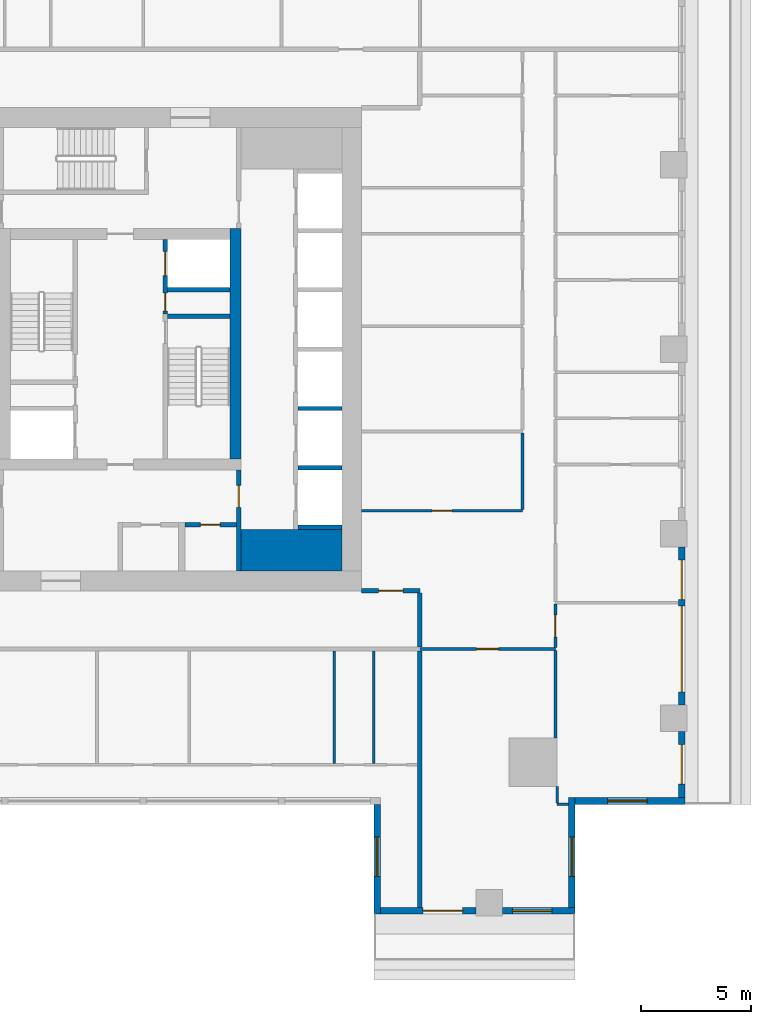
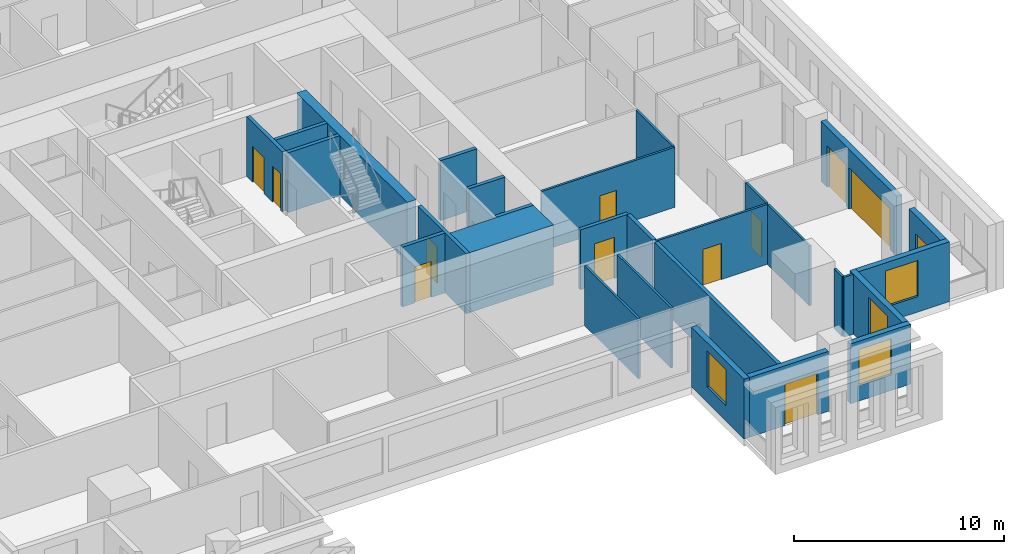
# One storey, part 4 of 14: 29 walls, 12 doors, 4 windows, 16 openings.
"""IFC4 building model written with IfcOpenShell, lengths in metres."""

from ifc_helpers import new_model, si_unit, direction, frame, frame_2d, origin, place, context, subcontext, project, spatial, rectangle, extrude, material, layer, layer_set, type_object, element, fill, save


model = new_model("IFC4")

# Units and contexts
model_context = context("Model", 3, precision=1e-05, world=origin(), true_north=direction((0.0, 1.0)))
body_context = subcontext(model_context, "Body", "Model", "MODEL_VIEW")
ifc_project = project(units=[si_unit("LENGTHUNIT", "METRE"), si_unit("AREAUNIT", "SQUARE_METRE"), si_unit("VOLUMEUNIT", "CUBIC_METRE"), si_unit("PLANEANGLEUNIT", "RADIAN"), si_unit("MASSUNIT", "GRAM", prefix="KILO")], contexts=[model_context])

# Site, building, storey
site_placement = place(None, origin())
site = spatial("IfcSite", under=ifc_project, at=site_placement, CompositionType="ELEMENT")
building_placement = place(site_placement, origin())
building = spatial("IfcBuilding", under=site, at=building_placement, Name="Khepri Terraces", CompositionType="ELEMENT")
storey_placement = place(building_placement, frame((0.0, 0.0, 275.699951171875)))
storey = spatial("IfcBuildingStorey", under=building, at=storey_placement, Name="L66", CompositionType="ELEMENT", Elevation=275.699951171875)

# Walls
ifc_material_1 = material(Name="Concrete C40/50", Category="concrete")
ifc_layer_1 = layer(ifc_material_1, 1.89990234375, Name="Concrete C40/50", Category="concrete")
ifc_layer_set_1 = layer_set([ifc_layer_1], Name="Concrete C40/50")
wall_type_1 = type_object("IfcWallType", Name="Core wall 1900 C40/50", PredefinedType="SHEAR", material=ifc_layer_set_1)
wall_1_placement = place(storey_placement, frame((5.5, -9.14990234375, 0.0), z_axis=(0.0, 0.0, 1.0), x_axis=(1.0, 0.0, 0.0)))
element("IfcWall", 1, at=wall_1_placement, inside=storey, type_object=wall_type_1, Name="Core wall PR02 L66", PredefinedType="SHEAR", context=body_context, shape_type="SweptSolid", body=[
    extrude(rectangle(XDim=4.60009765625, YDim=1.89990234375, at=frame_2d((2.300048828125, 0.0))), origin(), (0.0, 0.0, 1.0), 3.47998046875),
])
ifc_layer_2 = layer(ifc_material_1, 0.199951171875, Name="Concrete C40/50", Category="concrete")
ifc_layer_set_2 = layer_set([ifc_layer_2], Name="Concrete C40/50")
wall_type_2 = type_object("IfcWallType", Name="Core wall 200 C40/50", PredefinedType="SHEAR", material=ifc_layer_set_2)
wall_2_placement = place(storey_placement, frame((2.14990234375, 1.5, 0.0), z_axis=(0.0, 0.0, 1.0), x_axis=(1.0, 0.0, 0.0)))
element("IfcWall", 2, at=wall_2_placement, inside=storey, type_object=wall_type_2, Name="Core wall ST04 L66", PredefinedType="SHEAR", context=body_context, shape_type="SweptSolid", body=[
    extrude(rectangle(XDim=2.85009765625, YDim=0.199951171875, at=frame_2d((1.425048828125, 0.0))), origin(), (0.0, 0.0, 1.0), 3.47998046875),
])
for number, where, z_axis, x_axis, name in (
    (3, (8.10009765625, -8.10009765625, 0.0), (0.0, 0.0, 1.0), (1.0, 0.0, 0.0), "Core wall SH03 L66"),
    (4, (8.10009765625, -5.39990234375, 0.0), (0.0, 0.0, 1.0), (1.0, 0.0, 0.0), "Core wall SH04 L66"),
    (5, (8.10009765625, -2.699951171875, 0.0), (0.0, 0.0, 1.0), (1.0, 0.0, 0.0), "Core wall SH08 L66"),
):
    element("IfcWall", number, at=place(storey_placement, frame(where, z_axis=z_axis, x_axis=x_axis)), inside=storey, type_object=wall_type_2, Name=name, PredefinedType="SHEAR", context=body_context, shape_type="SweptSolid", body=[
        extrude(rectangle(XDim=2.0, YDim=0.199951171875, at=frame_2d((1.0, 0.0))), origin(), (0.0, 0.0, 1.0), 3.47998046875),
    ])

# Wall, openings, doors
wall_3_placement = place(storey_placement, frame((2.050048828125, 1.60009765625, 0.0), z_axis=(0.0, 0.0, 1.0), x_axis=(0.0, 1.0, 0.0)))
wall_3 = element("IfcWall", 6, at=wall_3_placement, inside=storey, type_object=wall_type_2, Name="Core wall SH10 L66", PredefinedType="SHEAR", context=body_context, shape_type="SweptSolid", body=[
    extrude(rectangle(XDim=3.39990234375, YDim=0.199951171875, at=frame_2d((1.699951171875, 0.0))), origin(), (0.0, 0.0, 1.0), 3.47998046875),
])
opening_1_placement = place(wall_3_placement, frame((1.75, 0.0, 0.0)))
opening_1 = element("IfcOpeningElement", 7, at=opening_1_placement, cuts=wall_3, Name="Opening L66-C07", PredefinedType="OPENING", context=body_context, shape_type="SweptSolid", body=[
    extrude(rectangle(XDim=1.10009765625, YDim=2.10009765625, at=frame_2d((0.550048828125, 1.050048828125))), frame((0.0, 0.10986328125, 0.0), z_axis=(0.0, -1.0, 0.0), x_axis=(1.0, 0.0, 0.0)), (0.0, 0.0, 1.0), 0.219970703125),
])
opening_2_placement = place(wall_3_placement, frame((0.14990234375, 0.0, 0.0)))
opening_2 = element("IfcOpeningElement", 8, at=opening_2_placement, cuts=wall_3, Name="Opening L66-C11", PredefinedType="OPENING", context=body_context, shape_type="SweptSolid", body=[
    extrude(rectangle(XDim=0.800048828125, YDim=2.10009765625, at=frame_2d((0.39990234375, 1.050048828125))), frame((0.0, 0.10986328125, 0.0), z_axis=(0.0, -1.0, 0.0), x_axis=(1.0, 0.0, 0.0)), (0.0, 0.0, 1.0), 0.219970703125),
])
ifc_material_2 = material(Name="Stainless steel 304", Category="steel")
door_type_1 = type_object("IfcDoorType", Name="DR-CORE-FF-LANDING-1100", OperationType="NOTDEFINED", PredefinedType="DOOR", material=ifc_material_2)
door_1_placement = place(opening_1_placement, origin())
door_1 = element("IfcDoor", 9, at=door_1_placement, inside=storey, type_object=door_type_1, Name="Firefighting lift landing door L66-C07", OperationType="SLIDING_TO_LEFT", OverallHeight=2.10009765625, OverallWidth=1.10009765625, PredefinedType="DOOR", context=body_context, shape_type="SweptSolid", body=[
    extrude(rectangle(XDim=1.10009765625, YDim=2.10009765625, at=frame_2d((0.550048828125, 1.050048828125))), frame((0.0, 0.02490234375, 0.0), z_axis=(0.0, -1.0, 0.0), x_axis=(1.0, 0.0, 0.0)), (0.0, 0.0, 1.0), 0.050048828125),
])
fill(opening_1, door_1)
ifc_material_3 = material(Name="Painted steel", Category="steel")
door_type_2 = type_object("IfcDoorType", Name="DR-CORE-RISER-800", OperationType="NOTDEFINED", PredefinedType="DOOR", material=ifc_material_3)
door_2_placement = place(opening_2_placement, frame((0.800048828125, 0.0, 0.0), z_axis=(0.0, 0.0, 1.0), x_axis=(-1.0, 0.0, 0.0)))
door_2 = element("IfcDoor", 10, at=door_2_placement, inside=storey, type_object=door_type_2, Name="Riser door L66-C11", OperationType="SINGLE_SWING_RIGHT", OverallHeight=2.10009765625, OverallWidth=0.800048828125, PredefinedType="DOOR", context=body_context, shape_type="SweptSolid", body=[
    extrude(rectangle(XDim=0.800048828125, YDim=2.10009765625, at=frame_2d((0.39990234375, 1.050048828125))), frame((0.0, 0.02490234375, 0.0), z_axis=(0.0, -1.0, 0.0), x_axis=(1.0, 0.0, 0.0)), (0.0, 0.0, 1.0), 0.050048828125),
])
fill(opening_2, door_2)

# Walls
wall_4_placement = place(storey_placement, frame((2.14990234375, 2.699951171875, 0.0), z_axis=(0.0, 0.0, 1.0), x_axis=(1.0, 0.0, 0.0)))
element("IfcWall", 11, at=wall_4_placement, inside=storey, type_object=wall_type_2, Name="Core wall SH12 L66", PredefinedType="SHEAR", context=body_context, shape_type="SweptSolid", body=[
    extrude(rectangle(XDim=2.85009765625, YDim=0.199951171875, at=frame_2d((1.425048828125, 0.0))), origin(), (0.0, 0.0, 1.0), 3.47998046875),
])
ifc_layer_3 = layer(ifc_material_1, 0.5, Name="Concrete C40/50", Category="concrete")
ifc_layer_set_3 = layer_set([ifc_layer_3], Name="Concrete C40/50")
wall_type_3 = type_object("IfcWallType", Name="Core wall 500 C40/50", PredefinedType="SHEAR", material=ifc_layer_set_3)
wall_5_placement = place(storey_placement, frame((5.25, -5.0, 0.0), z_axis=(0.0, 0.0, 1.0), x_axis=(0.0, 1.0, 0.0)))
element("IfcWall", 12, at=wall_5_placement, inside=storey, type_object=wall_type_3, Name="Core wall BX03 L66", PredefinedType="SHEAR", context=body_context, shape_type="SweptSolid", body=[
    extrude(rectangle(XDim=10.5, YDim=0.5, at=frame_2d((5.25, 0.0))), origin(), (0.0, 0.0, 1.0), 3.47998046875),
])

# Wall, opening, door
ifc_material_4 = material(Name="Fire-rated gypsum board partition")
ifc_layer_4 = layer(ifc_material_4, 0.199951171875, Name="Fire-rated gypsum board partition")
ifc_layer_set_4 = layer_set([ifc_layer_4], Name="Fire-rated gypsum board partition")
wall_type_4 = type_object("IfcWallType", Name="WL-CORE-PART-200", PredefinedType="PARTITIONING", material=ifc_layer_set_4)
wall_6_placement = place(storey_placement, frame((5.39990234375, -10.10009765625, 0.0), z_axis=(0.0, 0.0, 1.0), x_axis=(0.0, 1.0, 0.0)))
wall_6 = element("IfcWall", 13, at=wall_6_placement, inside=storey, type_object=wall_type_4, Name="Core partition PT04 L66", PredefinedType="PARTITIONING", context=body_context, shape_type="SweptSolid", body=[
    extrude(rectangle(XDim=4.60009765625, YDim=0.199951171875, at=frame_2d((2.300048828125, 0.0))), origin(), (0.0, 0.0, 1.0), 3.47998046875),
])
opening_3_placement = place(wall_6_placement, frame((2.89990234375, 0.0, 0.0)))
opening_3 = element("IfcOpeningElement", 14, at=opening_3_placement, cuts=wall_6, Name="Opening L66-C19", PredefinedType="OPENING", context=body_context, shape_type="SweptSolid", body=[
    extrude(rectangle(XDim=1.0, YDim=2.10009765625, at=frame_2d((0.5, 1.050048828125))), frame((0.0, 0.10986328125, 0.0), z_axis=(0.0, -1.0, 0.0), x_axis=(1.0, 0.0, 0.0)), (0.0, 0.0, 1.0), 0.219970703125),
])
door_type_3 = type_object("IfcDoorType", Name="DR-CORE-LOBBY-1000", OperationType="NOTDEFINED", PredefinedType="DOOR", material=ifc_material_3)
door_3_placement = place(opening_3_placement, origin())
door_3 = element("IfcDoor", 15, at=door_3_placement, inside=storey, type_object=door_type_3, Name="Lobby door L66-C19", OperationType="SINGLE_SWING_RIGHT", OverallHeight=2.10009765625, OverallWidth=1.0, PredefinedType="DOOR", context=body_context, shape_type="SweptSolid", body=[
    extrude(rectangle(XDim=1.0, YDim=2.10009765625, at=frame_2d((0.5, 1.050048828125))), frame((0.0, 0.02490234375, 0.0), z_axis=(0.0, -1.0, 0.0), x_axis=(1.0, 0.0, 0.0)), (0.0, 0.0, 1.0), 0.050048828125),
])
fill(opening_3, door_3)

wall_7_placement = place(storey_placement, frame((2.949951171875, -8.0, 0.0), z_axis=(0.0, 0.0, 1.0), x_axis=(1.0, 0.0, 0.0)))
wall_7 = element("IfcWall", 16, at=wall_7_placement, inside=storey, type_object=wall_type_4, Name="Core partition PT07 L66", PredefinedType="PARTITIONING", context=body_context, shape_type="SweptSolid", body=[
    extrude(rectangle(XDim=2.35009765625, YDim=0.199951171875, at=frame_2d((1.175048828125, 0.0))), origin(), (0.0, 0.0, 1.0), 3.47998046875),
])
opening_4_placement = place(wall_7_placement, frame((0.699951171875, 0.0, 0.0)))
opening_4 = element("IfcOpeningElement", 17, at=opening_4_placement, cuts=wall_7, Name="Opening L66-C23", PredefinedType="OPENING", context=body_context, shape_type="SweptSolid", body=[
    extrude(rectangle(XDim=0.89990234375, YDim=2.10009765625, at=frame_2d((0.449951171875, 1.050048828125))), frame((0.0, 0.10986328125, 0.0), z_axis=(0.0, -1.0, 0.0), x_axis=(1.0, 0.0, 0.0)), (0.0, 0.0, 1.0), 0.219970703125),
])
door_type_4 = type_object("IfcDoorType", Name="DR-CORE-SERVICE-900", OperationType="NOTDEFINED", PredefinedType="DOOR", material=ifc_material_3)
door_4_placement = place(opening_4_placement, frame((0.89990234375, 0.0, 0.0), z_axis=(0.0, 0.0, 1.0), x_axis=(-1.0, 0.0, 0.0)))
door_4 = element("IfcDoor", 18, at=door_4_placement, inside=storey, type_object=door_type_4, Name="Service room door L66-C23", OperationType="SINGLE_SWING_RIGHT", OverallHeight=2.10009765625, OverallWidth=0.89990234375, PredefinedType="DOOR", context=body_context, shape_type="SweptSolid", body=[
    extrude(rectangle(XDim=0.89990234375, YDim=2.10009765625, at=frame_2d((0.449951171875, 1.050048828125))), frame((0.0, 0.02490234375, 0.0), z_axis=(0.0, -1.0, 0.0), x_axis=(1.0, 0.0, 0.0)), (0.0, 0.0, 1.0), 0.050048828125),
])
fill(opening_4, door_4)

# Walls
ifc_material_5 = material(Name="Fire-rated gypsum plasterboard partition, mineral wool")
ifc_layer_5 = layer(ifc_material_5, 0.199951171875, Name="Fire-rated gypsum plasterboard partition, mineral wool")
ifc_layer_set_5 = layer_set([ifc_layer_5], Name="Fire-rated gypsum plasterboard partition, mineral wool")
wall_type_5 = type_object("IfcWallType", Name="WL-CORR-200", PredefinedType="PARTITIONING", material=ifc_layer_set_5)
wall_8_placement = place(storey_placement, frame((13.64990234375, -25.419921875, 0.0), z_axis=(0.0, 0.0, 1.0), x_axis=(0.0, 1.0, 0.0)))
element("IfcWall", 19, at=wall_8_placement, inside=storey, type_object=wall_type_5, Name="Partition P-001 L66", PredefinedType="PARTITIONING", context=body_context, shape_type="SweptSolid", body=[
    extrude(rectangle(XDim=11.669921875, YDim=0.199951171875, at=frame_2d((5.8349609375, 0.0))), origin(), (0.0, 0.0, 1.0), 3.47998046875),
])
wall_9_placement = place(storey_placement, frame((13.64990234375, -13.550048828125, 0.0), z_axis=(0.0, 0.0, 1.0), x_axis=(0.0, 1.0, 0.0)))
element("IfcWall", 20, at=wall_9_placement, inside=storey, type_object=wall_type_5, Name="Partition P-021 L66", PredefinedType="PARTITIONING", context=body_context, shape_type="SweptSolid", body=[
    extrude(rectangle(XDim=2.449951171875, YDim=0.199951171875, at=frame_2d((1.22509765625, 0.0))), origin(), (0.0, 0.0, 1.0), 3.47998046875),
])

# Wall, opening, door
wall_10_placement = place(storey_placement, frame((11.0, -11.0, 0.0), z_axis=(0.0, 0.0, 1.0), x_axis=(1.0, 0.0, 0.0)))
wall_10 = element("IfcWall", 21, at=wall_10_placement, inside=storey, type_object=wall_type_5, Name="Partition P-027 L66", PredefinedType="PARTITIONING", context=body_context, shape_type="SweptSolid", body=[
    extrude(rectangle(XDim=2.64990234375, YDim=0.199951171875, at=frame_2d((1.324951171875, 0.0))), origin(), (0.0, 0.0, 1.0), 3.47998046875),
])
opening_5_placement = place(wall_10_placement, frame((0.77490234375, 0.0, 0.0)))
opening_5 = element("IfcOpeningElement", 22, at=opening_5_placement, cuts=wall_10, Name="Opening D1", PredefinedType="OPENING", context=body_context, shape_type="SweptSolid", body=[
    extrude(rectangle(XDim=1.10009765625, YDim=2.39990234375, at=frame_2d((0.550048828125, 1.199951171875))), frame((0.0, 0.10986328125, 0.0), z_axis=(0.0, -1.0, 0.0), x_axis=(1.0, 0.0, 0.0)), (0.0, 0.0, 1.0), 0.219970703125),
])
ifc_material_6 = material(Name="Solid-core timber door leaf, flat entrance door", Category="wood")
door_type_5 = type_object("IfcDoorType", Name="DR-ENT-1100", OperationType="NOTDEFINED", PredefinedType="DOOR", material=ifc_material_6)
door_5_placement = place(opening_5_placement, origin())
door_5 = element("IfcDoor", 23, at=door_5_placement, inside=storey, type_object=door_type_5, Name="Flat B1 entrance door", OperationType="SINGLE_SWING_LEFT", OverallHeight=2.39990234375, OverallWidth=1.10009765625, PredefinedType="DOOR", context=body_context, shape_type="SweptSolid", body=[
    extrude(rectangle(XDim=1.10009765625, YDim=2.39990234375, at=frame_2d((0.550048828125, 1.199951171875))), frame((0.0, 0.02490234375, 0.0), z_axis=(0.0, -1.0, 0.0), x_axis=(1.0, 0.0, 0.0)), (0.0, 0.0, 1.0), 0.050048828125),
])
fill(opening_5, door_5)

# Wall, opening, window
ifc_material_7 = material(Name="Precast concrete C50/60 warm stone", Category="masonry")
ifc_layer_6 = layer(ifc_material_7, 0.300048828125, Name="Precast concrete C50/60 warm stone", Category="masonry")
ifc_layer_set_6 = layer_set([ifc_layer_6], Name="Precast concrete C50/60 warm stone")
wall_type_6 = type_object("IfcWallType", Name="WL-EXT-PRECAST-300", PredefinedType="STANDARD", material=ifc_layer_set_6)
wall_11_placement = place(storey_placement, frame((20.719970703125, -20.570068359375, 0.0), z_axis=(0.0, 0.0, 1.0), x_axis=(1.0, 0.0, 0.0)))
wall_11 = element("IfcWall", 24, at=wall_11_placement, inside=storey, type_object=wall_type_6, Name="External wall L66 S", PredefinedType="STANDARD", context=body_context, shape_type="SweptSolid", body=[
    extrude(rectangle(XDim=5.0, YDim=0.300048828125, at=frame_2d((2.5, 0.0))), origin(), (0.0, 0.0, 1.0), 3.47998046875),
])
opening_6_placement = place(wall_11_placement, frame((1.47998046875, 0.0, 0.89990234375)))
opening_6 = element("IfcOpeningElement", 25, at=opening_6_placement, cuts=wall_11, Name="Opening W1", PredefinedType="OPENING", context=body_context, shape_type="SweptSolid", body=[
    extrude(rectangle(XDim=1.800048828125, YDim=2.10009765625, at=frame_2d((0.89990234375, 1.050048828125))), frame((0.0, 0.16015625, 0.0), z_axis=(0.0, -1.0, 0.0), x_axis=(1.0, 0.0, 0.0)), (0.0, 0.0, 1.0), 0.320068359375),
])
ifc_material_8 = material(Name="Clear glass", Category="glass")
window_type = type_object("IfcWindowType", Name="WIN-RES-1800x2100", PartitioningType="SINGLE_PANEL", PredefinedType="WINDOW", material=ifc_material_8)
window_1_placement = place(opening_6_placement, origin())
window_1 = element("IfcWindow", 26, at=window_1_placement, inside=storey, type_object=window_type, Name="Window L66 S", OverallHeight=2.10009765625, OverallWidth=1.800048828125, PartitioningType="SINGLE_PANEL", PredefinedType="WINDOW", context=body_context, shape_type="SweptSolid", body=[
    extrude(rectangle(XDim=1.800048828125, YDim=2.10009765625, at=frame_2d((0.89990234375, 1.050048828125))), frame((0.0, 0.030029296875, 0.0), z_axis=(0.0, -1.0, 0.0), x_axis=(1.0, 0.0, 0.0)), (0.0, 0.0, 1.0), 0.06005859375),
])
fill(opening_6, window_1)

# Wall, opening, door
wall_12_placement = place(storey_placement, frame((25.570068359375, -20.419921875, 0.0), z_axis=(0.0, 0.0, 1.0), x_axis=(0.0, 1.0, 0.0)))
wall_12 = element("IfcWall", 27, at=wall_12_placement, inside=storey, type_object=wall_type_6, Name="External wall L66 E", PredefinedType="STANDARD", context=body_context, shape_type="SweptSolid", body=[
    extrude(rectangle(XDim=3.02001953125, YDim=0.300048828125, at=frame_2d((1.510009765625, 0.0))), origin(), (0.0, 0.0, 1.0), 3.47998046875),
])
opening_7_placement = place(wall_12_placement, frame((0.6201171875, 0.0, 0.0)))
opening_7 = element("IfcOpeningElement", 28, at=opening_7_placement, cuts=wall_12, Name="Opening ED-L66-01", PredefinedType="OPENING", context=body_context, shape_type="SweptSolid", body=[
    extrude(rectangle(XDim=1.800048828125, YDim=2.39990234375, at=frame_2d((0.89990234375, 1.199951171875))), frame((0.0, 0.16015625, 0.0), z_axis=(0.0, -1.0, 0.0), x_axis=(1.0, 0.0, 0.0)), (0.0, 0.0, 1.0), 0.320068359375),
])
ifc_material_9 = material(Name="Anodised aluminium bronze glazed door", Category="aluminium")
door_type_6 = type_object("IfcDoorType", Name="DR-BAL-SLIDE-1800x2400", OperationType="NOTDEFINED", PredefinedType="DOOR", material=ifc_material_9)
door_6_placement = place(opening_7_placement, origin())
door_6 = element("IfcDoor", 29, at=door_6_placement, inside=storey, type_object=door_type_6, Name="Balcony door L66 E", OperationType="SLIDING_TO_RIGHT", OverallHeight=2.39990234375, OverallWidth=1.800048828125, PredefinedType="DOOR", context=body_context, shape_type="SweptSolid", body=[
    extrude(rectangle(XDim=1.800048828125, YDim=2.39990234375, at=frame_2d((0.89990234375, 1.199951171875))), frame((0.0, 0.02490234375, 0.0), z_axis=(0.0, -1.0, 0.0), x_axis=(1.0, 0.0, 0.0)), (0.0, 0.0, 1.0), 0.050048828125),
])
fill(opening_7, door_6)

# Wall, openings, doors
wall_13_placement = place(storey_placement, frame((25.570068359375, -16.199951171875, 0.0), z_axis=(0.0, 0.0, 1.0), x_axis=(0.0, 1.0, 0.0)))
wall_13 = element("IfcWall", 30, at=wall_13_placement, inside=storey, type_object=wall_type_6, Name="External wall L66 E", PredefinedType="STANDARD", context=body_context, shape_type="SweptSolid", body=[
    extrude(rectangle(XDim=7.199951171875, YDim=0.300048828125, at=frame_2d((3.60009765625, 0.0))), origin(), (0.0, 0.0, 1.0), 3.47998046875),
])
opening_8_placement = place(wall_13_placement, frame((0.60009765625, 0.0, 0.0)))
opening_8 = element("IfcOpeningElement", 31, at=opening_8_placement, cuts=wall_13, Name="Opening ED-L66-02", PredefinedType="OPENING", context=body_context, shape_type="SweptSolid", body=[
    extrude(rectangle(XDim=3.89990234375, YDim=2.39990234375, at=frame_2d((1.949951171875, 1.199951171875))), frame((0.0, 0.16015625, 0.0), z_axis=(0.0, -1.0, 0.0), x_axis=(1.0, 0.0, 0.0)), (0.0, 0.0, 1.0), 0.320068359375),
])
opening_9_placement = place(wall_13_placement, frame((4.800048828125, 0.0, 0.0)))
opening_9 = element("IfcOpeningElement", 32, at=opening_9_placement, cuts=wall_13, Name="Opening ED-L66-03", PredefinedType="OPENING", context=body_context, shape_type="SweptSolid", body=[
    extrude(rectangle(XDim=1.800048828125, YDim=2.39990234375, at=frame_2d((0.89990234375, 1.199951171875))), frame((0.0, 0.16015625, 0.0), z_axis=(0.0, -1.0, 0.0), x_axis=(1.0, 0.0, 0.0)), (0.0, 0.0, 1.0), 0.320068359375),
])
door_7_placement = place(opening_9_placement, origin())
door_7 = element("IfcDoor", 33, at=door_7_placement, inside=storey, type_object=door_type_6, Name="Balcony door L66 E", OperationType="SLIDING_TO_RIGHT", OverallHeight=2.39990234375, OverallWidth=1.800048828125, PredefinedType="DOOR", context=body_context, shape_type="SweptSolid", body=[
    extrude(rectangle(XDim=1.800048828125, YDim=2.39990234375, at=frame_2d((0.89990234375, 1.199951171875))), frame((0.0, 0.02490234375, 0.0), z_axis=(0.0, -1.0, 0.0), x_axis=(1.0, 0.0, 0.0)), (0.0, 0.0, 1.0), 0.050048828125),
])
fill(opening_9, door_7)
door_type_7 = type_object("IfcDoorType", Name="DR-BAL-SLIDE-3900x2400", OperationType="NOTDEFINED", PredefinedType="DOOR", material=ifc_material_9)
door_8_placement = place(opening_8_placement, origin())
door_8 = element("IfcDoor", 34, at=door_8_placement, inside=storey, type_object=door_type_7, Name="Balcony door L66 E", OperationType="SLIDING_TO_LEFT", OverallHeight=2.39990234375, OverallWidth=3.89990234375, PredefinedType="DOOR", context=body_context, shape_type="SweptSolid", body=[
    extrude(rectangle(XDim=3.89990234375, YDim=2.39990234375, at=frame_2d((1.949951171875, 1.199951171875))), frame((0.0, 0.02490234375, 0.0), z_axis=(0.0, -1.0, 0.0), x_axis=(1.0, 0.0, 0.0)), (0.0, 0.0, 1.0), 0.050048828125),
])
fill(opening_8, door_8)

# Wall, opening, window
wall_14_placement = place(storey_placement, frame((11.699951171875, -20.719970703125, 0.0), z_axis=(0.0, 0.0, 1.0), x_axis=(0.0, -1.0, 0.0)))
wall_14 = element("IfcWall", 35, at=wall_14_placement, inside=storey, type_object=wall_type_6, Name="External wall L66 W", PredefinedType="STANDARD", context=body_context, shape_type="SweptSolid", body=[
    extrude(rectangle(XDim=5.0, YDim=0.300048828125, at=frame_2d((2.5, 0.0))), origin(), (0.0, 0.0, 1.0), 3.47998046875),
])
opening_10_placement = place(wall_14_placement, frame((1.47998046875, 0.0, 0.89990234375)))
opening_10 = element("IfcOpeningElement", 36, at=opening_10_placement, cuts=wall_14, Name="Opening W1", PredefinedType="OPENING", context=body_context, shape_type="SweptSolid", body=[
    extrude(rectangle(XDim=1.800048828125, YDim=2.10009765625, at=frame_2d((0.89990234375, 1.050048828125))), frame((0.0, 0.16015625, 0.0), z_axis=(0.0, -1.0, 0.0), x_axis=(1.0, 0.0, 0.0)), (0.0, 0.0, 1.0), 0.320068359375),
])
window_2_placement = place(opening_10_placement, origin())
window_2 = element("IfcWindow", 37, at=window_2_placement, inside=storey, type_object=window_type, Name="Window L66 W", OverallHeight=2.10009765625, OverallWidth=1.800048828125, PartitioningType="SINGLE_PANEL", PredefinedType="WINDOW", context=body_context, shape_type="SweptSolid", body=[
    extrude(rectangle(XDim=1.800048828125, YDim=2.10009765625, at=frame_2d((0.89990234375, 1.050048828125))), frame((0.0, 0.030029296875, 0.0), z_axis=(0.0, -1.0, 0.0), x_axis=(1.0, 0.0, 0.0)), (0.0, 0.0, 1.0), 0.06005859375),
])
fill(opening_10, window_2)

# Wall, opening, door
wall_15_placement = place(storey_placement, frame((11.85009765625, -25.570068359375, 0.0), z_axis=(0.0, 0.0, 1.0), x_axis=(1.0, 0.0, 0.0)))
wall_15 = element("IfcWall", 38, at=wall_15_placement, inside=storey, type_object=wall_type_6, Name="External wall L66 S", PredefinedType="STANDARD", context=body_context, shape_type="SweptSolid", body=[
    extrude(rectangle(XDim=4.349853515625, YDim=0.300048828125, at=frame_2d((2.1748046875, 0.0))), origin(), (0.0, 0.0, 1.0), 3.47998046875),
])
opening_11_placement = place(wall_15_placement, frame((1.949951171875, 0.0, 0.0)))
opening_11 = element("IfcOpeningElement", 39, at=opening_11_placement, cuts=wall_15, Name="Opening ED-L66-13", PredefinedType="OPENING", context=body_context, shape_type="SweptSolid", body=[
    extrude(rectangle(XDim=1.800048828125, YDim=2.39990234375, at=frame_2d((0.89990234375, 1.199951171875))), frame((0.0, 0.16015625, 0.0), z_axis=(0.0, -1.0, 0.0), x_axis=(1.0, 0.0, 0.0)), (0.0, 0.0, 1.0), 0.320068359375),
])
door_9_placement = place(opening_11_placement, origin())
door_9 = element("IfcDoor", 40, at=door_9_placement, inside=storey, type_object=door_type_6, Name="Balcony door L66 S", OperationType="SLIDING_TO_RIGHT", OverallHeight=2.39990234375, OverallWidth=1.800048828125, PredefinedType="DOOR", context=body_context, shape_type="SweptSolid", body=[
    extrude(rectangle(XDim=1.800048828125, YDim=2.39990234375, at=frame_2d((0.89990234375, 1.199951171875))), frame((0.0, 0.02490234375, 0.0), z_axis=(0.0, -1.0, 0.0), x_axis=(1.0, 0.0, 0.0)), (0.0, 0.0, 1.0), 0.050048828125),
])
fill(opening_11, door_9)

# Wall, opening, window
wall_16_placement = place(storey_placement, frame((17.39990234375, -25.570068359375, 0.0), z_axis=(0.0, 0.0, 1.0), x_axis=(1.0, 0.0, 0.0)))
wall_16 = element("IfcWall", 41, at=wall_16_placement, inside=storey, type_object=wall_type_6, Name="External wall L66 S", PredefinedType="STANDARD", context=body_context, shape_type="SweptSolid", body=[
    extrude(rectangle(XDim=3.320068359375, YDim=0.300048828125, at=frame_2d((1.66015625, 0.0))), origin(), (0.0, 0.0, 1.0), 3.47998046875),
])
opening_12_placement = place(wall_16_placement, frame((0.45947265625, 0.0, 0.89990234375)))
opening_12 = element("IfcOpeningElement", 42, at=opening_12_placement, cuts=wall_16, Name="Opening W1", PredefinedType="OPENING", context=body_context, shape_type="SweptSolid", body=[
    extrude(rectangle(XDim=1.800048828125, YDim=2.10009765625, at=frame_2d((0.89990234375, 1.050048828125))), frame((0.0, 0.16015625, 0.0), z_axis=(0.0, -1.0, 0.0), x_axis=(1.0, 0.0, 0.0)), (0.0, 0.0, 1.0), 0.320068359375),
])
window_3_placement = place(opening_12_placement, origin())
window_3 = element("IfcWindow", 43, at=window_3_placement, inside=storey, type_object=window_type, Name="Window L66 S", OverallHeight=2.10009765625, OverallWidth=1.800048828125, PartitioningType="SINGLE_PANEL", PredefinedType="WINDOW", context=body_context, shape_type="SweptSolid", body=[
    extrude(rectangle(XDim=1.800048828125, YDim=2.10009765625, at=frame_2d((0.89990234375, 1.050048828125))), frame((0.0, 0.030029296875, 0.0), z_axis=(0.0, -1.0, 0.0), x_axis=(1.0, 0.0, 0.0)), (0.0, 0.0, 1.0), 0.06005859375),
])
fill(opening_12, window_3)

wall_17_placement = place(storey_placement, frame((20.570068359375, -25.419921875, 0.0), z_axis=(0.0, 0.0, 1.0), x_axis=(0.0, 1.0, 0.0)))
wall_17 = element("IfcWall", 44, at=wall_17_placement, inside=storey, type_object=wall_type_6, Name="External wall L66 E", PredefinedType="STANDARD", context=body_context, shape_type="SweptSolid", body=[
    extrude(rectangle(XDim=5.0, YDim=0.300048828125, at=frame_2d((2.5, 0.0))), origin(), (0.0, 0.0, 1.0), 3.47998046875),
])
opening_13_placement = place(wall_17_placement, frame((1.419921875, 0.0, 0.89990234375)))
opening_13 = element("IfcOpeningElement", 45, at=opening_13_placement, cuts=wall_17, Name="Opening W1", PredefinedType="OPENING", context=body_context, shape_type="SweptSolid", body=[
    extrude(rectangle(XDim=1.800048828125, YDim=2.10009765625, at=frame_2d((0.89990234375, 1.050048828125))), frame((0.0, 0.16015625, 0.0), z_axis=(0.0, -1.0, 0.0), x_axis=(1.0, 0.0, 0.0)), (0.0, 0.0, 1.0), 0.320068359375),
])
window_4_placement = place(opening_13_placement, origin())
window_4 = element("IfcWindow", 46, at=window_4_placement, inside=storey, type_object=window_type, Name="Window L66 E", OverallHeight=2.10009765625, OverallWidth=1.800048828125, PartitioningType="SINGLE_PANEL", PredefinedType="WINDOW", context=body_context, shape_type="SweptSolid", body=[
    extrude(rectangle(XDim=1.800048828125, YDim=2.10009765625, at=frame_2d((0.89990234375, 1.050048828125))), frame((0.0, 0.030029296875, 0.0), z_axis=(0.0, -1.0, 0.0), x_axis=(1.0, 0.0, 0.0)), (0.0, 0.0, 1.0), 0.06005859375),
])
fill(opening_13, window_4)

# Walls
ifc_material_10 = material(Name="Gypsum plasterboard partition")
ifc_layer_7 = layer(ifc_material_10, 0.1201171875, Name="Gypsum plasterboard partition")
ifc_layer_set_7 = layer_set([ifc_layer_7], Name="Gypsum plasterboard partition")
wall_type_7 = type_object("IfcWallType", Name="WL-PART-120", PredefinedType="PARTITIONING", material=ifc_layer_set_7)
wall_18_placement = place(storey_placement, frame((19.90087890625, -20.718994140625, 0.0), z_axis=(0.0, 0.0, 1.0), x_axis=(1.0, 0.0, 0.0)))
element("IfcWall", 47, at=wall_18_placement, inside=storey, type_object=wall_type_7, Name="Partition P-004 L66", PredefinedType="PARTITIONING", context=body_context, shape_type="SweptSolid", body=[
    extrude(rectangle(XDim=0.52001953125, YDim=0.1201171875, at=frame_2d((0.260009765625, 0.0))), origin(), (0.0, 0.0, 1.0), 3.47998046875),
])
wall_19_placement = place(storey_placement, frame((19.90087890625, -20.658935546875, 0.0), z_axis=(0.0, 0.0, 1.0), x_axis=(0.0, 1.0, 0.0)))
element("IfcWall", 48, at=wall_19_placement, inside=storey, type_object=wall_type_7, Name="Partition P-005 L66", PredefinedType="PARTITIONING", context=body_context, shape_type="SweptSolid", body=[
    extrude(rectangle(XDim=0.759033203125, YDim=0.1201171875, at=frame_2d((0.37939453125, 0.0))), origin(), (0.0, 0.0, 1.0), 3.47998046875),
])
for number, where, z_axis, x_axis, name in (
    (49, (9.75, -18.860107421875, 0.0), (0.0, 0.0, 1.0), (0.0, 1.0, 0.0), "Partition P-012 L66"),
    (50, (11.550048828125, -18.860107421875, 0.0), (0.0, 0.0, 1.0), (0.0, 1.0, 0.0), "Partition P-013 L66"),
):
    element("IfcWall", number, at=place(storey_placement, frame(where, z_axis=z_axis, x_axis=x_axis)), inside=storey, type_object=wall_type_7, Name=name, PredefinedType="PARTITIONING", context=body_context, shape_type="SweptSolid", body=[
        extrude(rectangle(XDim=5.110107421875, YDim=0.1201171875, at=frame_2d((2.55517578125, 0.0))), origin(), (0.0, 0.0, 1.0), 3.47998046875),
    ])
wall_20_placement = place(storey_placement, frame((19.820068359375, -17.699951171875, 0.0), z_axis=(0.0, 0.0, 1.0), x_axis=(0.0, 1.0, 0.0)))
element("IfcWall", 51, at=wall_20_placement, inside=storey, type_object=wall_type_7, Name="Partition P-014 L66", PredefinedType="PARTITIONING", context=body_context, shape_type="SweptSolid", body=[
    extrude(rectangle(XDim=3.989990234375, YDim=0.1201171875, at=frame_2d((1.9951171875, 0.0))), origin(), (0.0, 0.0, 1.0), 3.47998046875),
])

# Wall, opening, door
wall_21_placement = place(storey_placement, frame((13.64990234375, -13.64990234375, 0.0), z_axis=(0.0, 0.0, 1.0), x_axis=(1.0, 0.0, 0.0)))
wall_21 = element("IfcWall", 52, at=wall_21_placement, inside=storey, type_object=wall_type_7, Name="Partition P-016 L66", PredefinedType="PARTITIONING", context=body_context, shape_type="SweptSolid", body=[
    extrude(rectangle(XDim=6.170166015625, YDim=0.1201171875, at=frame_2d((3.0849609375, 0.0))), origin(), (0.0, 0.0, 1.0), 3.47998046875),
])
opening_14_placement = place(wall_21_placement, frame((2.5849609375, 0.0, 0.0)))
opening_14 = element("IfcOpeningElement", 53, at=opening_14_placement, cuts=wall_21, Name="Opening D2", PredefinedType="OPENING", context=body_context, shape_type="SweptSolid", body=[
    extrude(rectangle(XDim=1.0, YDim=2.10009765625, at=frame_2d((0.5, 1.050048828125))), frame((0.0, 0.070068359375, 0.0), z_axis=(0.0, -1.0, 0.0), x_axis=(1.0, 0.0, 0.0)), (0.0, 0.0, 1.0), 0.14013671875),
])
ifc_material_11 = material(Name="Timber door leaf, living room door", Category="wood")
door_type_8 = type_object("IfcDoorType", Name="DR-INT-1000", OperationType="NOTDEFINED", PredefinedType="DOOR", material=ifc_material_11)
door_10_placement = place(opening_14_placement, frame((1.0, 0.0, 0.0), z_axis=(0.0, 0.0, 1.0), x_axis=(-1.0, 0.0, 0.0)))
door_10 = element("IfcDoor", 54, at=door_10_placement, inside=storey, type_object=door_type_8, Name="Door Family Room", OperationType="SINGLE_SWING_RIGHT", OverallHeight=2.10009765625, OverallWidth=1.0, PredefinedType="DOOR", context=body_context, shape_type="SweptSolid", body=[
    extrude(rectangle(XDim=1.0, YDim=2.10009765625, at=frame_2d((0.5, 1.050048828125))), frame((0.0, 0.02490234375, 0.0), z_axis=(0.0, -1.0, 0.0), x_axis=(1.0, 0.0, 0.0)), (0.0, 0.0, 1.0), 0.050048828125),
])
fill(opening_14, door_10)

wall_22_placement = place(storey_placement, frame((19.820068359375, -13.590087890625, 0.0), z_axis=(0.0, 0.0, 1.0), x_axis=(0.0, 1.0, 0.0)))
wall_22 = element("IfcWall", 55, at=wall_22_placement, inside=storey, type_object=wall_type_7, Name="Partition P-017 L66", PredefinedType="PARTITIONING", context=body_context, shape_type="SweptSolid", body=[
    extrude(rectangle(XDim=1.97998046875, YDim=0.1201171875, at=frame_2d((0.989990234375, 0.0))), origin(), (0.0, 0.0, 1.0), 3.47998046875),
])
opening_15_placement = place(wall_22_placement, frame((0.489990234375, 0.0, 0.0)))
opening_15 = element("IfcOpeningElement", 56, at=opening_15_placement, cuts=wall_22, Name="Opening D2", PredefinedType="OPENING", context=body_context, shape_type="SweptSolid", body=[
    extrude(rectangle(XDim=1.0, YDim=2.10009765625, at=frame_2d((0.5, 1.050048828125))), frame((0.0, 0.070068359375, 0.0), z_axis=(0.0, -1.0, 0.0), x_axis=(1.0, 0.0, 0.0)), (0.0, 0.0, 1.0), 0.14013671875),
])
door_11_placement = place(opening_15_placement, frame((1.0, 0.0, 0.0), z_axis=(0.0, 0.0, 1.0), x_axis=(-1.0, 0.0, 0.0)))
door_11 = element("IfcDoor", 57, at=door_11_placement, inside=storey, type_object=door_type_8, Name="Door Living Room", OperationType="SINGLE_SWING_RIGHT", OverallHeight=2.10009765625, OverallWidth=1.0, PredefinedType="DOOR", context=body_context, shape_type="SweptSolid", body=[
    extrude(rectangle(XDim=1.0, YDim=2.10009765625, at=frame_2d((0.5, 1.050048828125))), frame((0.0, 0.02490234375, 0.0), z_axis=(0.0, -1.0, 0.0), x_axis=(1.0, 0.0, 0.0)), (0.0, 0.0, 1.0), 0.050048828125),
])
fill(opening_15, door_11)

wall_23_placement = place(storey_placement, frame((11.0, -7.35009765625, 0.0), z_axis=(0.0, 0.0, 1.0), x_axis=(1.0, 0.0, 0.0)))
wall_23 = element("IfcWall", 58, at=wall_23_placement, inside=storey, type_object=wall_type_7, Name="Partition P-029 L66", PredefinedType="PARTITIONING", context=body_context, shape_type="SweptSolid", body=[
    extrude(rectangle(XDim=7.320068359375, YDim=0.1201171875, at=frame_2d((3.66015625, 0.0))), origin(), (0.0, 0.0, 1.0), 3.47998046875),
])
opening_16_placement = place(wall_23_placement, frame((3.2099609375, 0.0, 0.0)))
opening_16 = element("IfcOpeningElement", 59, at=opening_16_placement, cuts=wall_23, Name="Opening D3", PredefinedType="OPENING", context=body_context, shape_type="SweptSolid", body=[
    extrude(rectangle(XDim=0.89990234375, YDim=2.10009765625, at=frame_2d((0.449951171875, 1.050048828125))), frame((0.0, 0.070068359375, 0.0), z_axis=(0.0, -1.0, 0.0), x_axis=(1.0, 0.0, 0.0)), (0.0, 0.0, 1.0), 0.14013671875),
])
ifc_material_12 = material(Name="Timber door leaf", Category="wood")
door_type_9 = type_object("IfcDoorType", Name="DR-INT-900", OperationType="NOTDEFINED", PredefinedType="DOOR", material=ifc_material_12)
door_12_placement = place(opening_16_placement, origin())
door_12 = element("IfcDoor", 60, at=door_12_placement, inside=storey, type_object=door_type_9, Name="Door Kitchen", OperationType="SINGLE_SWING_RIGHT", OverallHeight=2.10009765625, OverallWidth=0.89990234375, PredefinedType="DOOR", context=body_context, shape_type="SweptSolid", body=[
    extrude(rectangle(XDim=0.89990234375, YDim=2.10009765625, at=frame_2d((0.449951171875, 1.050048828125))), frame((0.0, 0.02490234375, 0.0), z_axis=(0.0, -1.0, 0.0), x_axis=(1.0, 0.0, 0.0)), (0.0, 0.0, 1.0), 0.050048828125),
])
fill(opening_16, door_12)

# Wall
wall_24_placement = place(storey_placement, frame((18.320068359375, -7.2900390625, 0.0), z_axis=(0.0, 0.0, 1.0), x_axis=(0.0, 1.0, 0.0)))
element("IfcWall", 61, at=wall_24_placement, inside=storey, type_object=wall_type_7, Name="Partition P-031 L66", PredefinedType="PARTITIONING", context=body_context, shape_type="SweptSolid", body=[
    extrude(rectangle(XDim=3.47998046875, YDim=0.1201171875, at=frame_2d((1.739990234375, 0.0))), origin(), (0.0, 0.0, 1.0), 3.47998046875),
])

save(model, "model.ifc")
